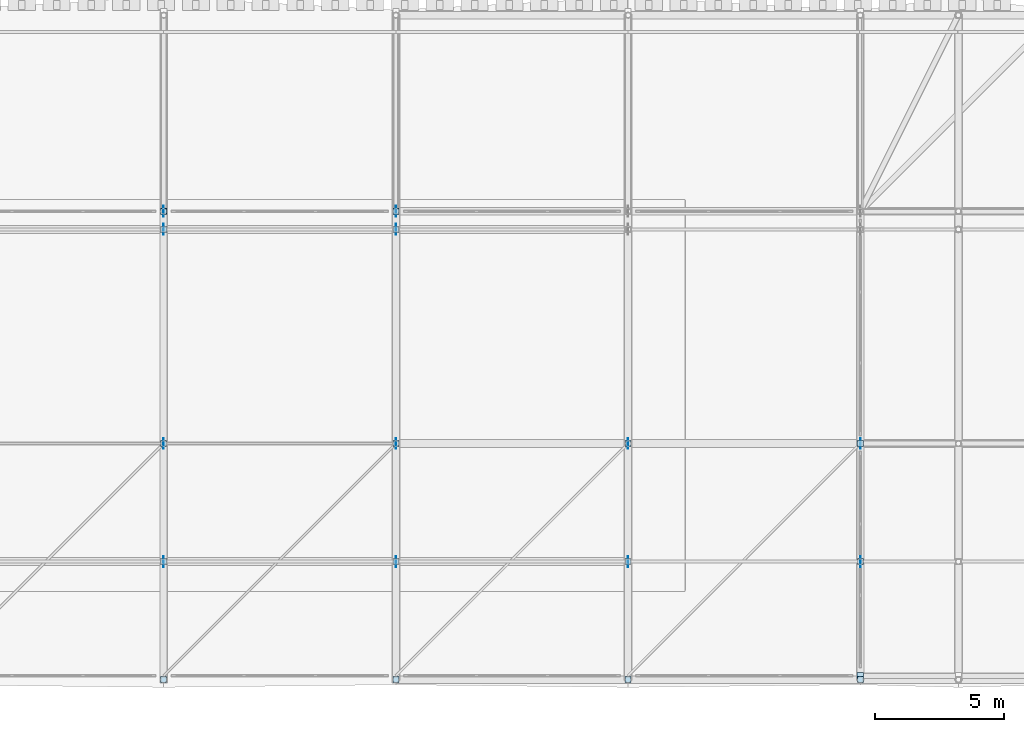
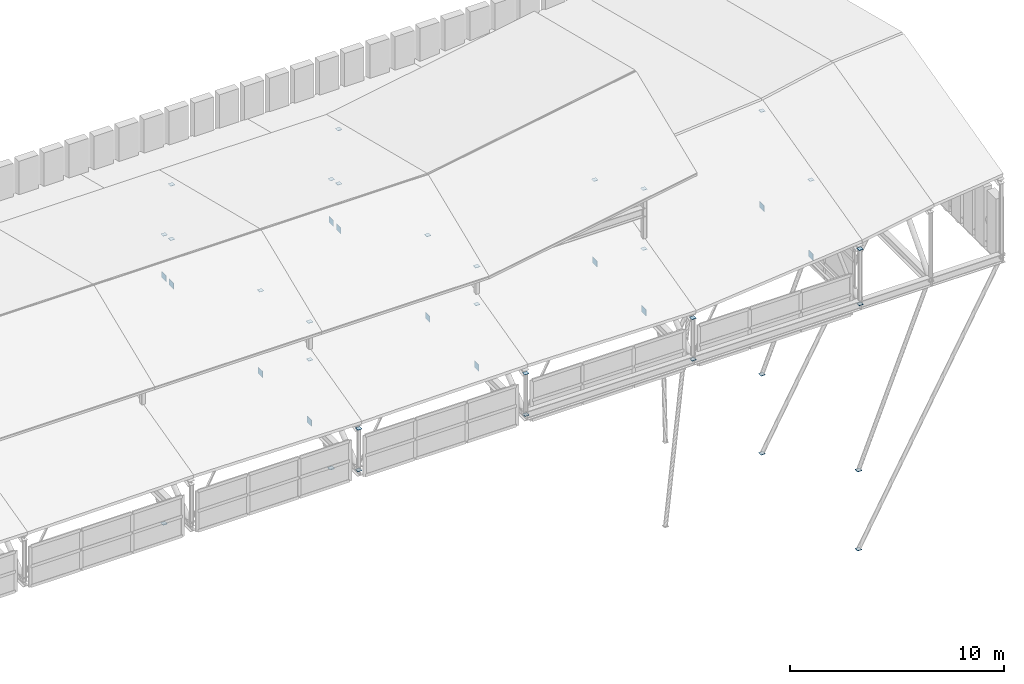
# One storey, part 36 of 42: 43 plates.
"""IFC4 building model written with IfcOpenShell, lengths in metres."""

from ifc_helpers import new_model, si_unit, direction, frame, origin, origin_2d, place, context, subcontext, project, spatial, rectangle, extrude, material, layer, layer_set, type_object, element, save


model = new_model("IFC4")

# Units and contexts
model_context = context("Model", 3, precision=1e-05, world=origin(), true_north=direction((0.0, 1.0)))
body_context = subcontext(model_context, "Body", "Model", "MODEL_VIEW")
ifc_project = project(units=[si_unit("LENGTHUNIT", "METRE"), si_unit("AREAUNIT", "SQUARE_METRE"), si_unit("VOLUMEUNIT", "CUBIC_METRE"), si_unit("PLANEANGLEUNIT", "RADIAN"), si_unit("MASSUNIT", "GRAM", prefix="KILO")], contexts=[model_context])

# Site, building, storey
site_placement = place(None, origin())
site = spatial("IfcSite", under=ifc_project, at=site_placement, CompositionType="ELEMENT")
building_placement = place(site_placement, origin())
building = spatial("IfcBuilding", under=site, at=building_placement, Name="Bozkorgan Art Gallery", CompositionType="ELEMENT")
storey_placement = place(building_placement, frame((0.0, 0.0, 28.800048828125)))
storey = spatial("IfcBuildingStorey", under=building, at=storey_placement, Name="RF", CompositionType="ELEMENT", Elevation=28.800048828125)

# Plates
ifc_material = material(Name="Steel S355J2", Category="steel")
ifc_layer_1 = layer(ifc_material, 0.01611328125, Name="Steel S355J2")
ifc_layer_set_1 = layer_set([ifc_layer_1], Name="Steel S355J2")
plate_type_1 = type_object("IfcPlateType", Name="PLATE-EC-05", PredefinedType="USERDEFINED", material=ifc_layer_set_1)
for number, where, z_axis, x_axis, name in (
    (1, (38.0, 1.85009765625, 2.603759765625), (0.0, 0.0, 1.0), (1.0, 0.0, 0.0), "Truss V1 post cap 5.0"),
    (2, (38.0, 1.85009765625, 0.241943359375), (0.0, 0.0, 1.0), (1.0, 0.0, 0.0), "Truss V1 post base cap 5.0"),
    (3, (38.0, 6.425048828125, 3.761474609375), (0.0, 0.0, 1.0), (1.0, 0.0, 0.0), "Truss V1 post cap 5.1"),
    (4, (38.0, 11.0, 4.919189453125), (0.0, 0.0, 1.0), (1.0, 0.0, 0.0), "Truss V1 post cap 5.2"),
    (5, (38.0, 19.300048828125, 2.81884765625), (0.0, 0.0, 1.0), (1.0, 0.0, 0.0), "Truss V1 post cap 5.3"),
    (6, (38.0, 20.0, 2.641845703125), (0.0, 0.0, 1.0), (1.0, 0.0, 0.0), "Truss V1 post cap 5.4"),
    (7, (47.0, 1.85009765625, 2.603759765625), (0.0, 0.0, 1.0), (1.0, 0.0, 0.0), "Truss V1 post cap 6.0"),
    (8, (47.0, 1.85009765625, 0.241943359375), (0.0, 0.0, 1.0), (1.0, 0.0, 0.0), "Truss V1 post base cap 6.0"),
    (9, (47.0, 6.425048828125, 3.761474609375), (0.0, 0.0, 1.0), (1.0, 0.0, 0.0), "Truss V1 post cap 6.1"),
    (10, (47.0, 11.0, 4.919189453125), (0.0, 0.0, 1.0), (1.0, 0.0, 0.0), "Truss V1 post cap 6.2"),
    (11, (47.0, 19.300048828125, 2.81884765625), (0.0, 0.0, 1.0), (1.0, 0.0, 0.0), "Truss V1 post cap 6.3"),
    (12, (47.0, 20.0, 2.641845703125), (0.0, 0.0, 1.0), (1.0, 0.0, 0.0), "Truss V1 post cap 6.4"),
    (13, (56.0, 1.85009765625, 2.603759765625), (0.0, 0.0, 1.0), (1.0, 0.0, 0.0), "Truss V1 post cap 7.0"),
    (14, (56.0, 1.85009765625, 0.241943359375), (0.0, 0.0, 1.0), (1.0, 0.0, 0.0), "Truss V1 post base cap 7.0"),
    (15, (56.0, 6.425048828125, 3.761474609375), (0.0, 0.0, 1.0), (1.0, 0.0, 0.0), "Truss V1 post cap 7.1"),
    (16, (56.0, 11.0, 4.919189453125), (0.0, 0.0, 1.0), (1.0, 0.0, 0.0), "Truss V1 post cap 7.2"),
    (17, (65.0, 1.85009765625, 3.382568359375), (0.0, 0.0, 1.0), (1.0, 0.0, 0.0), "Truss V1 post cap 8.0"),
    (18, (65.0, 1.85009765625, 0.241943359375), (0.0, 0.0, 1.0), (1.0, 0.0, 0.0), "Truss V1 post base cap 8.0"),
    (19, (65.0, 6.425048828125, 4.540283203125), (0.0, 0.0, 1.0), (1.0, 0.0, 0.0), "Truss V1 post cap 8.1"),
    (20, (65.0, 11.0, 5.697998046875), (0.0, 0.0, 1.0), (1.0, 0.0, 0.0), "Truss V1 post cap 8.2"),
):
    element("IfcPlate", number, at=place(storey_placement, frame(where, z_axis=z_axis, x_axis=x_axis)), inside=storey, type_object=plate_type_1, Name=name, ObjectType="END CAP PLATE", PredefinedType="USERDEFINED", context=body_context, shape_type="SweptSolid", body=[
        extrude(rectangle(XDim=0.22998046875, YDim=0.22998046875, at=origin_2d()), origin(), (0.0, 0.0, 1.0), 0.01611328125),
    ])
ifc_layer_2 = layer(ifc_material, 0.02001953125, Name="Steel S355J2")
ifc_layer_set_2 = layer_set([ifc_layer_2], Name="Steel S355J2")
plate_type_2 = type_object("IfcPlateType", Name="PLATE-EC-24", PredefinedType="USERDEFINED", material=ifc_layer_set_2)
for number, where, z_axis, x_axis, name in (
    (21, (38.0, 20.0, -13.81005859375), (0.0, 0.0, 1.0), (1.0, 0.0, 0.0), "ROOF-V1-MAIN north swept-eave diagonal tree-strut 5 end cap 1"),
    (22, (47.0, 20.0, -13.81005859375), (0.0, 0.0, 1.0), (1.0, 0.0, 0.0), "ROOF-V1-MAIN north swept-eave diagonal tree-strut 6 end cap 1"),
    (23, (65.0, 2.0, -13.81005859375), (0.0, 0.0, 1.0), (1.0, 0.0, 0.0), "ROOF-V1-MAIN east swept-eave diagonal tree-strut 1 end cap 1"),
    (24, (65.0, 2.0, -9.31005859375), (0.0, 0.0, 1.0), (1.0, 0.0, 0.0), "ROOF-V1-MAIN east mid-overhang diagonal tree-strut 1 end cap 1"),
    (25, (65.0, 11.0, -13.81005859375), (0.0, 0.0, 1.0), (1.0, 0.0, 0.0), "ROOF-V1-MAIN east swept-eave diagonal tree-strut 2 end cap 1"),
    (26, (65.0, 11.0, -9.31005859375), (0.0, 0.0, 1.0), (1.0, 0.0, 0.0), "ROOF-V1-MAIN east mid-overhang diagonal tree-strut 2 end cap 1"),
    (27, (38.0, 6.425048828125, 5.9150390625), (0.0, 0.0, 1.0), (1.0, 0.0, 0.0), "Clerestory V1 post cap 4S"),
    (28, (38.0, 19.300048828125, 5.9150390625), (0.0, 0.0, 1.0), (1.0, 0.0, 0.0), "Clerestory V1 post cap 4N"),
    (29, (47.0, 6.425048828125, 5.9150390625), (0.0, 0.0, 1.0), (1.0, 0.0, 0.0), "Clerestory V1 post cap 5S"),
    (30, (47.0, 19.300048828125, 5.9150390625), (0.0, 0.0, 1.0), (1.0, 0.0, 0.0), "Clerestory V1 post cap 5N"),
    (31, (56.0, 6.425048828125, 7.180419921875), (0.0, 0.0, 1.0), (1.0, 0.0, 0.0), "Clerestory V1 post cap 6S"),
):
    element("IfcPlate", number, at=place(storey_placement, frame(where, z_axis=z_axis, x_axis=x_axis)), inside=storey, type_object=plate_type_2, Name=name, ObjectType="END CAP PLATE", PredefinedType="USERDEFINED", context=body_context, shape_type="SweptSolid", body=[
        extrude(rectangle(XDim=0.239990234375, YDim=0.239990234375, at=origin_2d()), origin(), (0.0, 0.0, 1.0), 0.02001953125),
    ])
ifc_layer_3 = layer(ifc_material, 0.02392578125, Name="Steel S355J2")
ifc_layer_set_3 = layer_set([ifc_layer_3], Name="Steel S355J2")
plate_type_3 = type_object("IfcPlateType", Name="PLATE-GP-38", PredefinedType="USERDEFINED", material=ifc_layer_set_3)
for number, where, z_axis, x_axis, name in (
    (32, (38.0, 11.0, 0.06982421875), (0.0, 0.0, 1.0), (1.0, 0.0, 0.0), "Truss V1 span 5 node gusset TN-2"),
    (33, (47.0, 11.0, 0.06982421875), (0.0, 0.0, 1.0), (1.0, 0.0, 0.0), "Truss V1 span 6 node gusset TN-2"),
    (34, (56.0, 11.0, 0.06982421875), (0.0, 0.0, 1.0), (1.0, 0.0, 0.0), "Truss V1 span 7 node gusset TN-2"),
    (35, (65.0, 11.0, 0.06982421875), (0.0, 0.0, 1.0), (1.0, 0.0, 0.0), "Truss V1 span 8 node gusset TN-2"),
):
    element("IfcPlate", number, at=place(storey_placement, frame(where, z_axis=z_axis, x_axis=x_axis)), inside=storey, type_object=plate_type_3, Name=name, ObjectType="GUSSET PLATE", PredefinedType="USERDEFINED", context=body_context, shape_type="SweptSolid", body=[
        extrude(rectangle(XDim=0.02001953125, YDim=0.419921875, at=origin_2d()), origin(), (0.0, 0.0, 1.0), 0.360107421875),
    ])
ifc_layer_4 = layer(ifc_material, 0.02001953125, Name="Steel S355J2")
ifc_layer_set_4 = layer_set([ifc_layer_4], Name="Steel S355J2")
plate_type_4 = type_object("IfcPlateType", Name="PLATE-GP-55", PredefinedType="USERDEFINED", material=ifc_layer_set_4)
for number, where, z_axis, x_axis, name in (
    (36, (38.0, 6.425048828125, 0.06982421875), (0.0, 0.0, 1.0), (1.0, 0.0, 0.0), "Truss V1 span 5 node gusset TN-1"),
    (37, (38.0, 19.300048828125, 0.06982421875), (0.0, 0.0, 1.0), (1.0, 0.0, 0.0), "Truss V1 span 5 node gusset TN-3"),
    (38, (38.0, 20.0, 0.06982421875), (0.0, 0.0, 1.0), (1.0, 0.0, 0.0), "Truss V1 span 5 node gusset TN-4"),
    (39, (47.0, 6.425048828125, 0.06982421875), (0.0, 0.0, 1.0), (1.0, 0.0, 0.0), "Truss V1 span 6 node gusset TN-1"),
    (40, (47.0, 19.300048828125, 0.06982421875), (0.0, 0.0, 1.0), (1.0, 0.0, 0.0), "Truss V1 span 6 node gusset TN-3"),
    (41, (47.0, 20.0, 0.06982421875), (0.0, 0.0, 1.0), (1.0, 0.0, 0.0), "Truss V1 span 6 node gusset TN-4"),
    (42, (56.0, 6.425048828125, 0.06982421875), (0.0, 0.0, 1.0), (1.0, 0.0, 0.0), "Truss V1 span 7 node gusset TN-1"),
    (43, (65.0, 6.425048828125, 0.06982421875), (0.0, 0.0, 1.0), (1.0, 0.0, 0.0), "Truss V1 span 8 node gusset TN-1"),
):
    element("IfcPlate", number, at=place(storey_placement, frame(where, z_axis=z_axis, x_axis=x_axis)), inside=storey, type_object=plate_type_4, Name=name, ObjectType="GUSSET PLATE", PredefinedType="USERDEFINED", context=body_context, shape_type="SweptSolid", body=[
        extrude(rectangle(XDim=0.02001953125, YDim=0.419921875, at=origin_2d()), origin(), (0.0, 0.0, 1.0), 0.360107421875),
    ])

save(model, "model.ifc")
